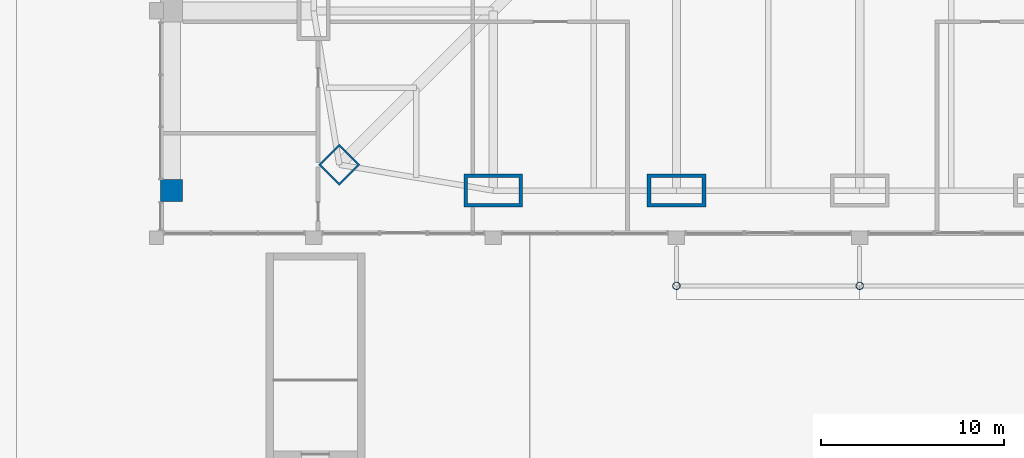
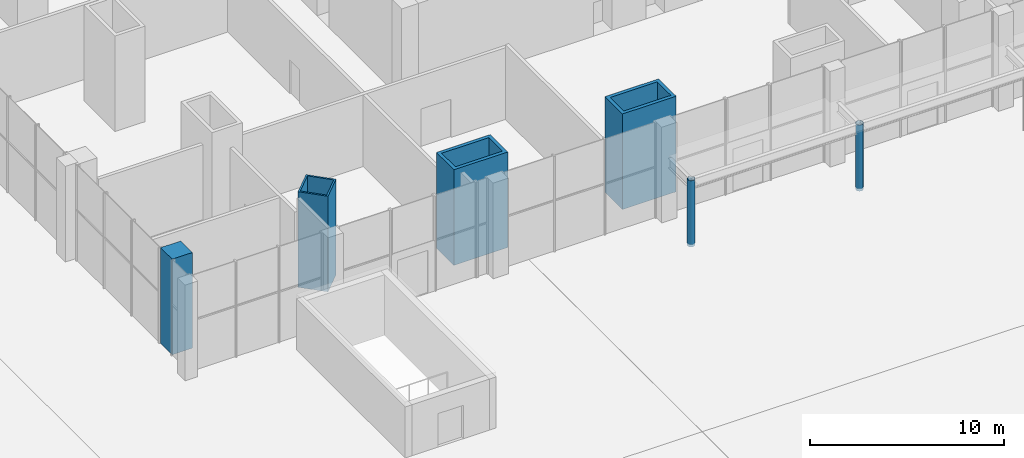
# One storey, part 1 of 31: 6 columns.
"""IFC4 building model written with IfcOpenShell, lengths in metres."""

from ifc_helpers import new_model, si_unit, direction, frame, origin, origin_2d, place, context, subcontext, project, spatial, rectangle, hollow_rectangle, hollow_circle, extrude, material, material_profile, profile_set, type_object, element, save


model = new_model("IFC4")

# Units and contexts
model_context = context("Model", 3, precision=1e-05, world=origin(), true_north=direction((0.0, 1.0)))
body_context = subcontext(model_context, "Body", "Model", "MODEL_VIEW")
ifc_project = project(units=[si_unit("LENGTHUNIT", "METRE"), si_unit("AREAUNIT", "SQUARE_METRE"), si_unit("VOLUMEUNIT", "CUBIC_METRE"), si_unit("PLANEANGLEUNIT", "RADIAN"), si_unit("MASSUNIT", "GRAM", prefix="KILO")], contexts=[model_context])

# Site, building, storey
site_placement = place(None, origin())
site = spatial("IfcSite", under=ifc_project, at=site_placement, CompositionType="ELEMENT")
building_placement = place(site_placement, origin())
building = spatial("IfcBuilding", under=site, at=building_placement, Name="Khuree Lantern Residences", CompositionType="ELEMENT")
storey_placement = place(building_placement, origin())
storey = spatial("IfcBuildingStorey", under=building, at=storey_placement, Name="L00", CompositionType="ELEMENT", Elevation=0.0)

# Columns
ifc_material_1 = material(Name="Steel S355 CFT welded box", Category="steel")
ifc_material_profile_1 = material_profile(ifc_material_1, hollow_rectangle(XDim=1.60009765625, YDim=1.60009765625, WallThickness=0.10009765625, at=origin_2d()), Name="WELDED BOX 1600X1600X100")
ifc_profile_set_1 = profile_set([ifc_material_profile_1], Name="Steel S355 CFT welded box")
column_type_1 = type_object("IfcColumnType", Name="CC1600 PERIMETER CORNER MEGA COLUMN WELDED BOX 1600X1600X100", PredefinedType="COLUMN", material=ifc_profile_set_1)
column_1_placement = place(storey_placement, frame((-28.39404296875, -28.39404296875, 0.0), z_axis=(0.0, 0.0, 1.0), x_axis=(0.707106781187, -0.707106781187, 0.0)))
element("IfcColumn", 1, at=column_1_placement, inside=storey, type_object=column_type_1, Name="Perimeter column SW", PredefinedType="COLUMN", context=body_context, shape_type="SweptSolid", body=[
    extrude(hollow_rectangle(XDim=1.60009765625, YDim=1.60009765625, WallThickness=0.10009765625, at=origin_2d()), origin(), (0.0, 0.0, 1.0), 6.0),
])
ifc_material_2 = material(Name="Steel S355", Category="steel")
ifc_material_profile_2 = material_profile(ifc_material_2, hollow_circle(Radius=0.203125, WallThickness=0.012451171875, at=origin_2d()), Name="CHS 406.4X12.5")
ifc_profile_set_2 = profile_set([ifc_material_profile_2], Name="Steel S355")
column_type_2 = type_object("IfcColumnType", Name="CP1 CANOPY POST CHS 406.4X12.5", PredefinedType="COLUMN", material=ifc_profile_set_2)
for number, where, z_axis, x_axis, name in (
    (2, (-10.0, -35.0, -0.159912109375), (0.0, 0.0, 1.0), (1.0, 0.0, 0.0), "SOUTH FACE CANOPY POST 1"),
    (3, (0.0, -35.0, -0.159912109375), (0.0, 0.0, 1.0), (1.0, 0.0, 0.0), "SOUTH FACE CANOPY POST 2"),
):
    element("IfcColumn", number, at=place(storey_placement, frame(where, z_axis=z_axis, x_axis=x_axis)), inside=storey, type_object=column_type_2, Name=name, PredefinedType="COLUMN", context=body_context, shape_type="SweptSolid", body=[
        extrude(hollow_circle(Radius=0.203125, WallThickness=0.012451171875, at=origin_2d()), origin(), (0.0, 0.0, 1.0), 4.159912109375),
    ])
ifc_material_3 = material(Name="Concrete C70/85", Category="concrete")
ifc_material_profile_3 = material_profile(ifc_material_3, rectangle(XDim=1.199951171875, YDim=1.199951171875, at=origin_2d()), Name="RC 1200X1200")
ifc_profile_set_3 = profile_set([ifc_material_profile_3], Name="Concrete C70/85")
column_type_3 = type_object("IfcColumnType", Name="GC1 PODIUM COLUMN RC 1200X1200", PredefinedType="COLUMN", material=ifc_profile_set_3)
column_2_placement = place(storey_placement, frame((-37.550048828125, -29.800048828125, 0.0), z_axis=(0.0, 0.0, 1.0), x_axis=(1.0, 0.0, 0.0)))
element("IfcColumn", 4, at=column_2_placement, inside=storey, type_object=column_type_3, Name="Column GC-17", PredefinedType="COLUMN", context=body_context, shape_type="SweptSolid", body=[
    extrude(rectangle(XDim=1.199951171875, YDim=1.199951171875, at=origin_2d()), origin(), (0.0, 0.0, 1.0), 6.0),
])
ifc_material_profile_4 = material_profile(ifc_material_1, hollow_rectangle(XDim=3.199951171875, YDim=1.800048828125, WallThickness=0.199951171875, at=origin_2d()), Name="WELDED BOX 3200X1800X200")
ifc_profile_set_4 = profile_set([ifc_material_profile_4], Name="Steel S355 CFT welded box")
column_type_4 = type_object("IfcColumnType", Name="SC1 PERIMETER MEGA COLUMN WELDED BOX 3200X1800X200", PredefinedType="COLUMN", material=ifc_profile_set_4)
for number, where, z_axis, x_axis, name in (
    (5, (-10.0, -29.800048828125, 0.0), (0.0, 0.0, 1.0), (1.0, 0.0, 0.0), "Perimeter column S4"),
    (6, (-20.0, -29.800048828125, 0.0), (0.0, 0.0, 1.0), (1.0, 0.0, 0.0), "Perimeter column S5"),
):
    element("IfcColumn", number, at=place(storey_placement, frame(where, z_axis=z_axis, x_axis=x_axis)), inside=storey, type_object=column_type_4, Name=name, PredefinedType="COLUMN", context=body_context, shape_type="SweptSolid", body=[
        extrude(hollow_rectangle(XDim=3.199951171875, YDim=1.800048828125, WallThickness=0.199951171875, at=origin_2d()), origin(), (0.0, 0.0, 1.0), 6.0),
    ])

save(model, "model.ifc")
